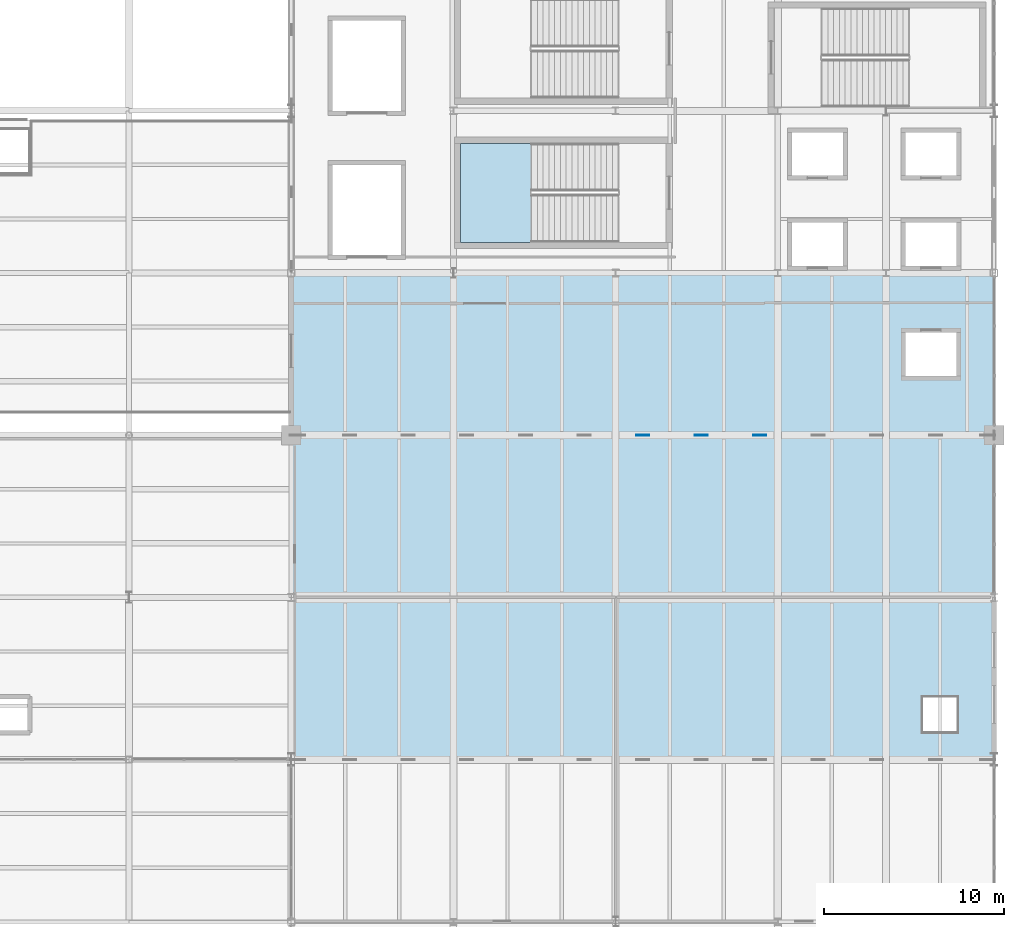
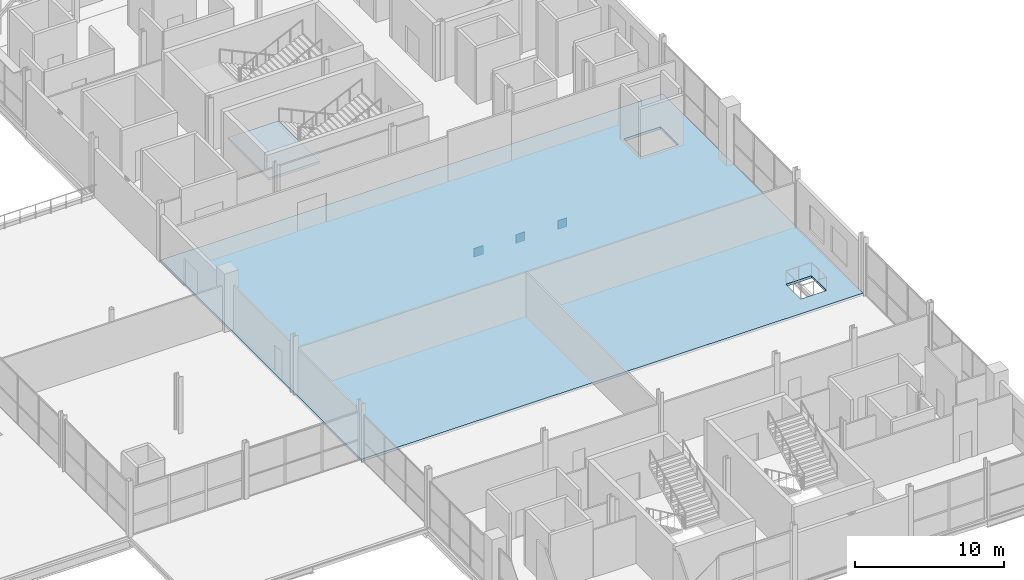
# One storey, part 43 of 69: 3 plates, 2 slabs, 1 element without a shape of its own.
"""IFC4 building model written with IfcOpenShell, lengths in metres."""

import ifcopenshell
import ifcopenshell.guid

model = None  # the IFC model being written
_history = None  # IfcOwnerHistory: only IFC2X3 demands one
_inside = {}  # id of a spatial element -> (the spatial element, [elements in it])
_under = {}  # id of a project, library or spatial element -> (it, [spatial elements below it])
_declared = {}  # id of a project -> (the project, [libraries it declares])
_typed = {}  # id of a type object -> (the type object, [elements of that type])
_made_of = {}  # id of a material, layer set ... -> (it, [elements and type objects made of it])


def new_model(schema):
    """Start an empty IFC model of exactly this schema.

    Asked for "IFC4X3", IfcOpenShell would pick the latest addendum, in which some entities
    have other attributes; the version numbers below select the first issue.
    IFC2X3 requires an IfcOwnerHistory on every rooted entity: one is made here for all.
    """
    global model, _history
    if schema == "IFC4X3":
        model = ifcopenshell.file(schema_version=(4, 3, 0, 0))
    else:
        model = ifcopenshell.file(schema=schema)
    _inside.clear()
    _under.clear()
    _declared.clear()
    _typed.clear()
    _made_of.clear()
    _history = None
    if model.schema == "IFC2X3":
        org = make("IfcOrganization", Name="unknown")
        user = make(
            "IfcPersonAndOrganization",
            ThePerson=make("IfcPerson", FamilyName="unknown"),
            TheOrganization=org,
        )
        app = make(
            "IfcApplication",
            ApplicationDeveloper=org,
            Version="unknown",
            ApplicationFullName="unknown",
            ApplicationIdentifier="unknown",
        )
        _history = make(
            "IfcOwnerHistory",
            OwningUser=user,
            OwningApplication=app,
            ChangeAction="ADDED",
            CreationDate=0,
        )
    return model


def make(cls, **values):
    """One entity of the class cls with the attributes given. An attribute that is None is left unset."""
    return model.create_entity(
        cls, **{name: value for name, value in values.items() if value is not None}
    )


def rooted(cls, **values):
    """An entity with a GlobalId (a new one), such as an element, a storey or a relation."""
    return make(cls, GlobalId=ifcopenshell.guid.new(), OwnerHistory=_history, **values)


def si_unit(unit_type, name, prefix=None):
    """IfcSIUnit, for example si_unit("LENGTHUNIT", "METRE", prefix="MILLI")."""
    return make("IfcSIUnit", UnitType=unit_type, Prefix=prefix, Name=name)


def assignment(units):
    """IfcUnitAssignment: the units of a project."""
    return None if units is None else make("IfcUnitAssignment", Units=units)


def point(xyz):
    """IfcCartesianPoint."""
    return None if xyz is None else make("IfcCartesianPoint", Coordinates=xyz)


def direction(xyz):
    """IfcDirection."""
    return None if xyz is None else make("IfcDirection", DirectionRatios=xyz)


def frame(location, z_axis=None, x_axis=None):
    """IfcAxis2Placement3D, a coordinate frame: its origin and axes. An axis left out is left unset."""
    return make(
        "IfcAxis2Placement3D",
        Location=point(location),
        Axis=direction(z_axis),
        RefDirection=direction(x_axis),
    )


def frame_2d(location, x_axis=None):
    """IfcAxis2Placement2D, a coordinate frame in the plane: its origin and x axis."""
    return make(
        "IfcAxis2Placement2D", Location=point(location), RefDirection=direction(x_axis)
    )


def origin():
    """The frame at (0, 0, 0) with its axes left unset."""
    return frame((0.0, 0.0, 0.0))


def origin_2d():
    """The frame at (0, 0) in the plane with its x axis left unset."""
    return frame_2d((0.0, 0.0))


def place(relative_to, where):
    """IfcLocalPlacement: puts the frame where relative to a parent placement (None: the world)."""
    return make(
        "IfcLocalPlacement", PlacementRelTo=relative_to, RelativePlacement=where
    )


def context(
    kind, dimensions, precision=None, world=None, true_north=None, identifier=None
):
    """IfcGeometricRepresentationContext, for example the 3D "Model" context."""
    return make(
        "IfcGeometricRepresentationContext",
        ContextIdentifier=identifier,
        ContextType=kind,
        CoordinateSpaceDimension=dimensions,
        Precision=precision,
        WorldCoordinateSystem=world,
        TrueNorth=true_north,
    )


def subcontext(parent, identifier, kind, view, scale=None):
    """IfcGeometricRepresentationSubContext, for example "Body" below "Model"."""
    return make(
        "IfcGeometricRepresentationSubContext",
        ContextIdentifier=identifier,
        ContextType=kind,
        ParentContext=parent,
        TargetScale=scale,
        TargetView=view,
    )


def project(units=None, contexts=None):
    """IfcProject with its units and contexts."""
    return rooted(
        "IfcProject",
        Name="project",
        RepresentationContexts=contexts,
        UnitsInContext=assignment(units),
    )


def spatial(cls, under=None, at=None, **own):
    """A site, building, storey or space (cls), placed at a placement, below another one or the project."""
    s = rooted(cls, ObjectPlacement=at, **own)
    if under is not None:
        _under.setdefault(under.id(), (under, []))[1].append(s)
    return s


def polyline(points):
    """IfcPolyline through the points."""
    return make("IfcPolyline", Points=[point(p) for p in points])


def profile(cls, at=None, kind="AREA", **sizes):
    """A parametric profile (cls). Its sizes go by their IFC names, for example OverallWidth=200.0."""
    return make(cls, ProfileType=kind, Position=at, **sizes)


def rectangle(**sizes):
    """IfcRectangleProfileDef."""
    return profile("IfcRectangleProfileDef", **sizes)


def outline(outer, holes=None, kind="AREA"):
    """IfcArbitraryClosedProfileDef: a profile drawn as a closed curve; with holes, ...WithVoids."""
    if holes is None:
        return make("IfcArbitraryClosedProfileDef", ProfileType=kind, OuterCurve=outer)
    return make(
        "IfcArbitraryProfileDefWithVoids",
        ProfileType=kind,
        OuterCurve=outer,
        InnerCurves=holes,
    )


def extrude(swept, where, along, depth):
    """IfcExtrudedAreaSolid: the profile swept, set in the frame where, extruded along a direction by depth."""
    return make(
        "IfcExtrudedAreaSolid",
        SweptArea=swept,
        Position=where,
        ExtrudedDirection=direction(along),
        Depth=depth,
    )


def shape(context_of_items, identifier, shape_type, items):
    """IfcShapeRepresentation: the items that make up one representation, for example the "Body"."""
    return make(
        "IfcShapeRepresentation",
        ContextOfItems=context_of_items,
        RepresentationIdentifier=identifier,
        RepresentationType=shape_type,
        Items=items,
    )


def material(Name=None, Category=None):
    """IfcMaterial."""
    return make("IfcMaterial", Name=Name, Category=Category)


def layer(
    of_material, thickness, ventilated=None, Name=None, Category=None, Priority=None
):
    """IfcMaterialLayer: one layer of a wall or slab, of a material (None: an air gap)."""
    return make(
        "IfcMaterialLayer",
        Material=of_material,
        LayerThickness=thickness,
        IsVentilated=ventilated,
        Name=Name,
        Category=Category,
        Priority=Priority,
    )


def layer_set(layers, Name=None):
    """IfcMaterialLayerSet."""
    return make("IfcMaterialLayerSet", MaterialLayers=layers, LayerSetName=Name)


def made_of(thing, what):
    """Note that an element or type object is made of a material, layer set ...; save() writes the relation."""
    if what is not None:
        _made_of.setdefault(what.id(), (what, []))[1].append(thing)
    return thing


def type_object(cls, material=None, **own):
    """A type object (cls), such as IfcWallType, which elements share."""
    return made_of(rooted(cls, **own), material)


def element(
    cls,
    number,
    at=None,
    inside=None,
    cuts=None,
    type_object=None,
    material=None,
    context=None,
    identifier="Body",
    shape_type=None,
    held_by="IfcProductDefinitionShape",
    body=None,
    shapes=None,
    **own,
):
    """One element of the class cls, such as IfcWall. Its Tag is "e" and its number.

    at: its placement. inside: the storey or other place that contains it. cuts: it is an
    opening in that element (IfcRelVoidsElement). A single representation is given by context,
    identifier, shape_type and body (its items); several are given by shapes. held_by: the class
    of the entity that holds the representations. save() writes the other relations.
    """
    e = rooted(cls, Tag="e%d" % number, ObjectPlacement=at, **own)
    if body is not None:
        shapes = [shape(context, identifier, shape_type, body)]
    if shapes is not None:
        e.Representation = make(held_by, Representations=shapes)
    if inside is not None:
        _inside.setdefault(inside.id(), (inside, []))[1].append(e)
    if cuts is not None:
        rooted(
            "IfcRelVoidsElement", RelatingBuildingElement=cuts, RelatedOpeningElement=e
        )
    if type_object is not None:
        _typed.setdefault(type_object.id(), (type_object, []))[1].append(e)
    return made_of(e, material)


def aggregate(whole, parts):
    """IfcRelAggregates: a whole, such as a stair, and the parts it consists of."""
    return rooted("IfcRelAggregates", RelatingObject=whole, RelatedObjects=parts)


def save(model, path):
    """Write the relations noted so far, then the file.

    IfcRelAggregates (storeys below a building ...), IfcRelContainedInSpatialStructure (elements
    in a storey), IfcRelDefinesByType, IfcRelAssociatesMaterial and IfcRelDeclares: one each for
    every whole, place, type object, material and project.
    """
    for whole, parts in _under.values():
        aggregate(whole, parts)
    for where, things in _inside.values():
        rooted(
            "IfcRelContainedInSpatialStructure",
            RelatedElements=things,
            RelatingStructure=where,
        )
    for kind, things in _typed.values():
        rooted("IfcRelDefinesByType", RelatedObjects=things, RelatingType=kind)
    for what, things in _made_of.values():
        rooted("IfcRelAssociatesMaterial", RelatedObjects=things, RelatingMaterial=what)
    for by, libraries in _declared.values():
        rooted("IfcRelDeclares", RelatingContext=by, RelatedDefinitions=libraries)
    model.write(path)


model = new_model("IFC4")

# Units and contexts
model_context = context("Model", 3, precision=1e-05, world=origin(), true_north=direction((0.0, 1.0)))
body_context = subcontext(model_context, "Body", "Model", "MODEL_VIEW")
ifc_project = project(units=[si_unit("LENGTHUNIT", "METRE"), si_unit("AREAUNIT", "SQUARE_METRE"), si_unit("VOLUMEUNIT", "CUBIC_METRE"), si_unit("PLANEANGLEUNIT", "RADIAN"), si_unit("MASSUNIT", "GRAM", prefix="KILO")], contexts=[model_context])

# Site, building, storey
site_placement = place(None, origin())
site = spatial("IfcSite", under=ifc_project, at=site_placement, CompositionType="ELEMENT")
building_placement = place(site_placement, origin())
building = spatial("IfcBuilding", under=site, at=building_placement, Name="Qamarlyn Nura Convention Centre", CompositionType="ELEMENT")
storey_placement = place(building_placement, frame((0.0, 0.0, 15.60009765625)))
storey = spatial("IfcBuildingStorey", under=building, at=storey_placement, Name="L03", CompositionType="ELEMENT", Elevation=15.60009765625)

# Plates
ifc_material_1 = material(Name="Structural steel ASTM A572 Grade 50", Category="steel")
ifc_layer_1 = layer(ifc_material_1, 0.044921875, Name="GP-TN1")
ifc_layer_set_1 = layer_set([ifc_layer_1], Name="Structural steel ASTM A572 Grade 50")
plate_type = type_object("IfcPlateType", Name="GP-TN1", PredefinedType="USERDEFINED", material=ifc_layer_set_1)
for number, where, z_axis, x_axis, name in (
    (1, (175.75, 45.0, -1.01611328125), (0.0, 0.0, 1.0), (1.0, 0.0, 0.0), "Transfer truss apex gusset plate F-P4T"),
    (2, (172.5, 45.0, -1.01611328125), (0.0, 0.0, 1.0), (1.0, 0.0, 0.0), "Transfer truss hanger top gusset plate F-V3T"),
    (3, (179.0, 45.0, -1.01611328125), (0.0, 0.0, 1.0), (1.0, 0.0, 0.0), "Transfer truss hanger top gusset plate F-V4T"),
):
    element("IfcPlate", number, at=place(storey_placement, frame(where, z_axis=z_axis, x_axis=x_axis)), inside=storey, type_object=plate_type, Name=name, ObjectType="GUSSET PLATE", PredefinedType="USERDEFINED", context=body_context, shape_type="SweptSolid", body=[
        extrude(rectangle(XDim=0.719970703125, YDim=0.044921875, at=origin_2d()), origin(), (0.0, 0.0, 1.0), 0.719970703125),
    ])

# Slab
ifc_material_2 = material(Name="Concrete C40/50", Category="concrete")
ifc_layer_2 = layer(ifc_material_2, 0.199951171875, Name="SL-L03")
ifc_layer_set_2 = layer_set([ifc_layer_2], Name="Concrete C40/50")
slab_type_1 = type_object("IfcSlabType", Name="SL-L03", PredefinedType="FLOOR", material=ifc_layer_set_2)
slab_1_placement = place(storey_placement, frame((0.0, 0.0, -0.2001953125)))
element("IfcSlab", 4, at=slab_1_placement, inside=storey, type_object=slab_type_1, Name="L03 floor slab L03-CF2", PredefinedType="FLOOR", context=body_context, shape_type="SweptSolid", body=[
    extrude(outline(polyline([(153.0, 54.0), (192.0, 54.0), (192.0, 27.0), (153.0, 27.0), (153.0, 54.0)]), holes=[polyline([(188.0, 30.5), (188.0, 28.5), (190.0, 28.5), (190.0, 30.5), (188.0, 30.5)]), polyline([(189.925048828125, 50.699951171875), (187.074951171875, 50.699951171875), (187.074951171875, 48.300048828125), (189.925048828125, 48.300048828125), (189.925048828125, 50.699951171875)])]), origin(), (0.0, 0.0, 1.0), 0.2001953125),
])

# Stair, slab
stair_type = type_object("IfcStairType", Name="STAIR-EXIT-48", PredefinedType="HALF_TURN_STAIR", material=ifc_material_2)
stair_placement = place(storey_placement, origin())
stair = element("IfcStair", 5, at=stair_placement, inside=storey, type_object=stair_type, Name="L03 Enclosed exit stair ST-11", PredefinedType="HALF_TURN_STAIR")
ifc_layer_3 = layer(ifc_material_2, 0.199951171875, Name="SL-LAND-200")
ifc_layer_set_3 = layer_set([ifc_layer_3], Name="Concrete C40/50")
slab_type_2 = type_object("IfcSlabType", Name="SL-LAND-200", PredefinedType="LANDING", material=ifc_layer_set_3)
slab_2_placement = place(storey_placement, frame((0.0, 0.0, 2.199951171875)))
slab_2 = element("IfcSlab", 6, at=slab_2_placement, type_object=slab_type_2, Name="ST-11 landing 1", PredefinedType="LANDING", context=body_context, shape_type="SweptSolid", body=[
    extrude(outline(polyline([(166.340087890625, 61.199951171875), (162.39990234375, 61.199951171875), (162.39990234375, 55.699951171875), (166.340087890625, 55.699951171875), (166.340087890625, 61.199951171875)])), origin(), (0.0, 0.0, 1.0), 0.199951171875),
])
aggregate(stair, [slab_2])

save(model, "model.ifc")
